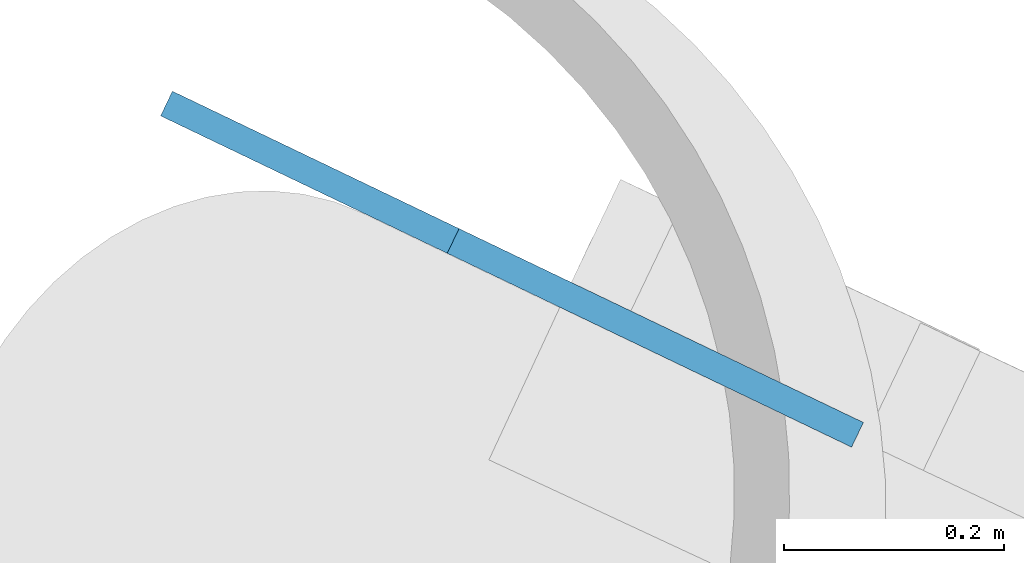
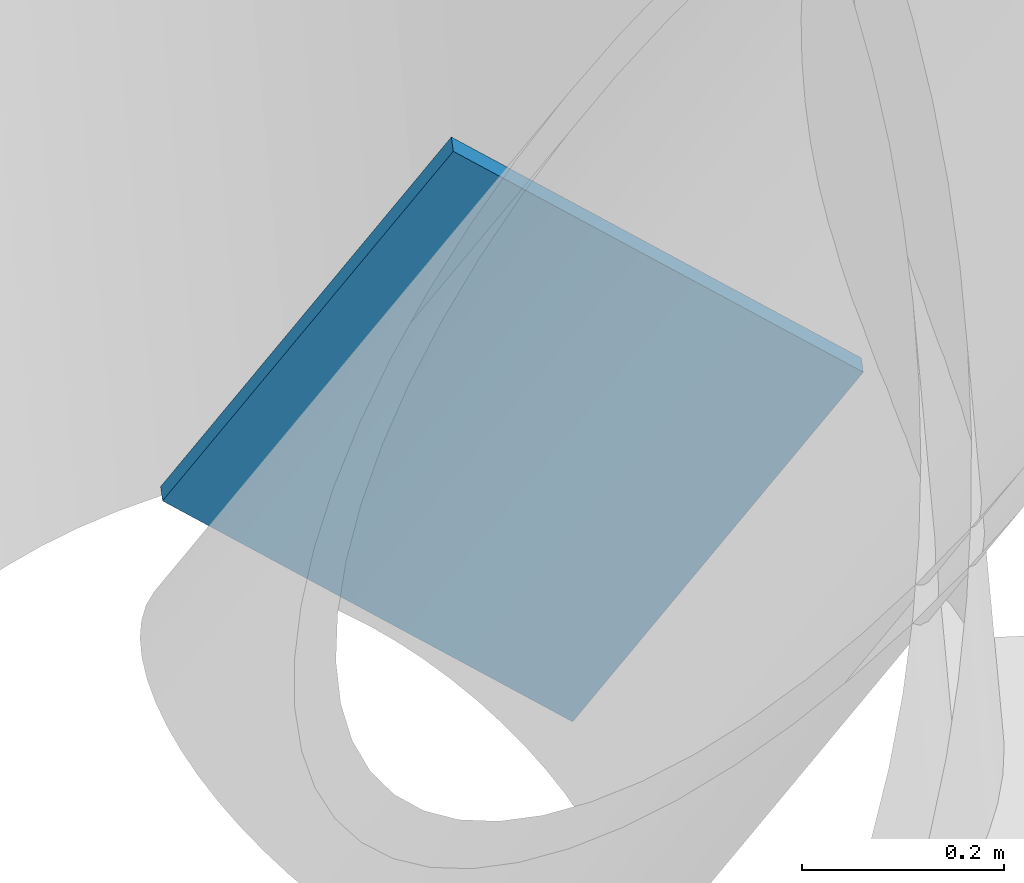
# One storey, part 14 of 22: 1 discrete accessory.
"""IFC4 building model written with IfcOpenShell, lengths in metres."""

from ifc_helpers import new_model, si_unit, direction, frame, origin, origin_2d, place, context, subcontext, project, spatial, rectangle, extrude, material, material_profile, profile_set, type_object, element, save


model = new_model("IFC4")

# Units and contexts
model_context = context("Model", 3, precision=1e-05, world=origin(), true_north=direction((0.0, 1.0)))
body_context = subcontext(model_context, "Body", "Model", "MODEL_VIEW")
ifc_project = project(units=[si_unit("LENGTHUNIT", "METRE"), si_unit("AREAUNIT", "SQUARE_METRE"), si_unit("VOLUMEUNIT", "CUBIC_METRE"), si_unit("PLANEANGLEUNIT", "RADIAN"), si_unit("MASSUNIT", "GRAM", prefix="KILO")], contexts=[model_context])

# Site, building, storey
site_placement = place(None, origin())
site = spatial("IfcSite", under=ifc_project, at=site_placement, CompositionType="ELEMENT")
building_placement = place(site_placement, origin())
building = spatial("IfcBuilding", under=site, at=building_placement, Name="Tarsis Ring Headquarters", CompositionType="ELEMENT")
storey_placement = place(building_placement, frame((0.0, 0.0, 55.60009765625)))
storey = spatial("IfcBuildingStorey", under=building, at=storey_placement, Name="L11", CompositionType="ELEMENT", Elevation=55.60009765625)

# Discrete accessory
ifc_material = material(Name="Structural steel S355", Category="steel")
ifc_material_profile = material_profile(ifc_material, rectangle(XDim=0.02490234375, YDim=0.5, at=origin_2d()), Name="PL 25x500")
ifc_profile_set = profile_set([ifc_material_profile], Name="Structural steel S355")
discrete_accessory_type = type_object("IfcDiscreteAccessoryType", Name="Gusset plate Exo brace 25", PredefinedType="BRACKET", material=ifc_profile_set)
discrete_accessory_placement = place(storey_placement, frame((6.85546875, 28.547119140625, 0.0), z_axis=(0.521648321282, -0.25007859597, 0.81568604545), x_axis=(0.432291838086, 0.901733756008, 0.0)))
element("IfcDiscreteAccessory", 1, at=discrete_accessory_placement, inside=storey, type_object=discrete_accessory_type, Name="Gusset plate GP5", PredefinedType="BRACKET", context=body_context, shape_type="SweptSolid", body=[
    extrude(rectangle(XDim=0.02490234375, YDim=0.5, at=origin_2d()), origin(), (0.0, 0.0, 1.0), 0.499755859375),
])

save(model, "model.ifc")
